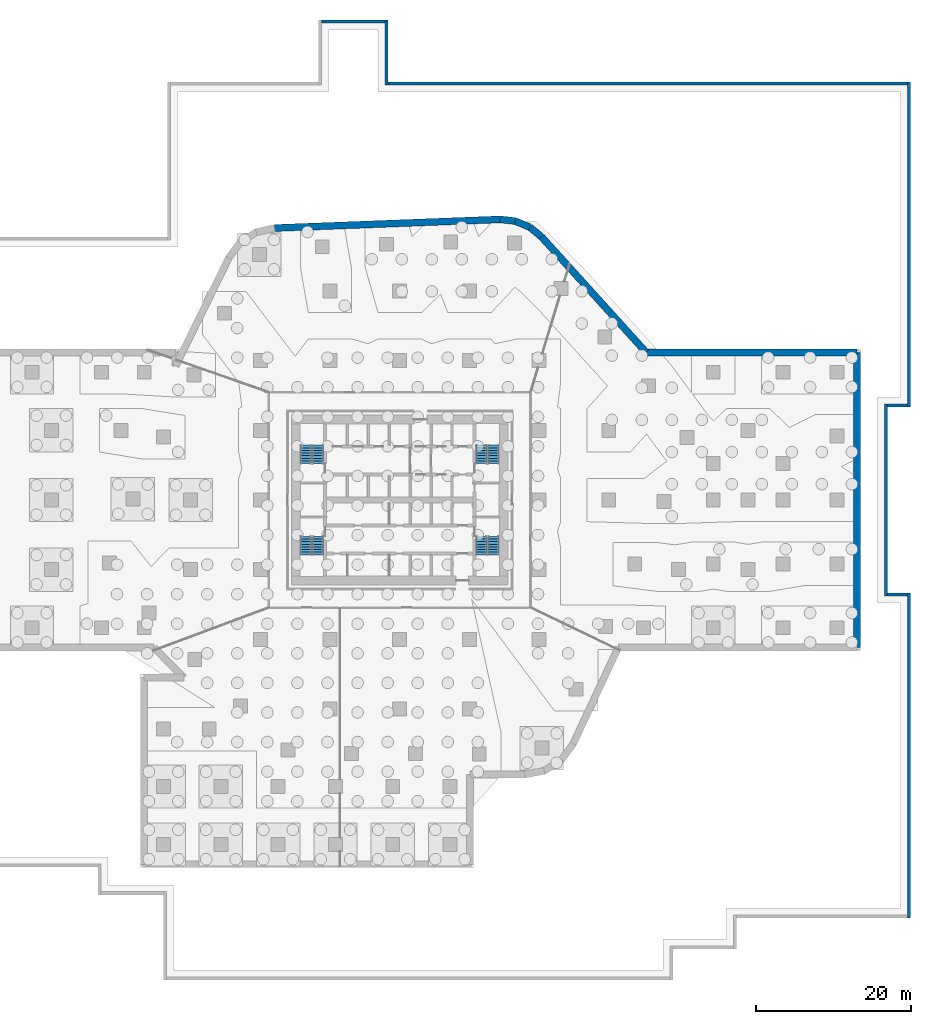
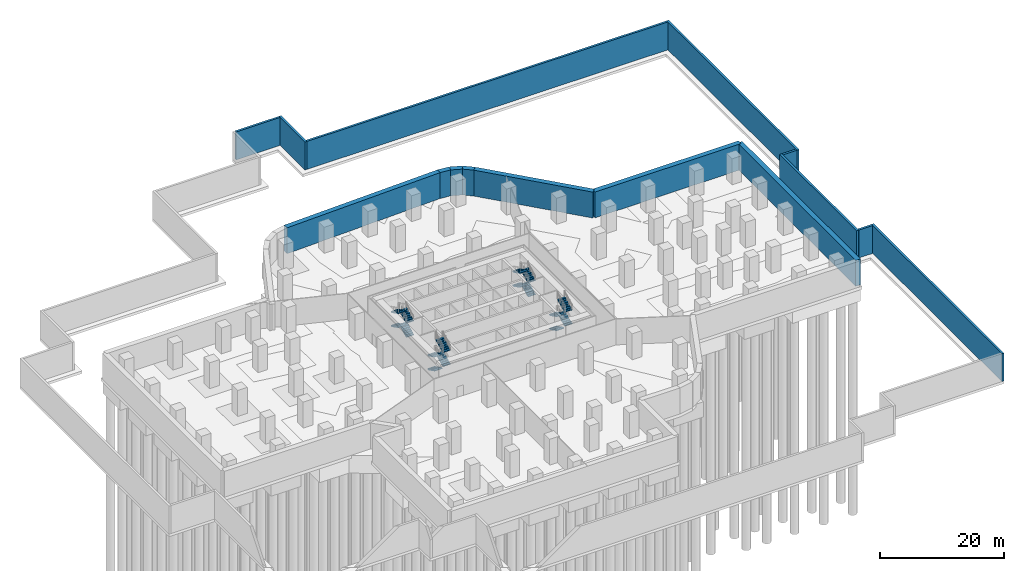
# One storey, part 10 of 12: 16 stair flights, 15 walls, 4 elements without a shape of their own.
"""IFC4 building model written with IfcOpenShell, lengths in metres."""

from ifc_helpers import new_model, si_unit, direction, frame, frame_2d, origin, place, context, subcontext, project, spatial, polyline, rectangle, outline, extrude, material, layer, layer_set, type_object, element, aggregate, save


model = new_model("IFC4")

# Units and contexts
model_context = context("Model", 3, precision=1e-05, world=origin(), true_north=direction((0.0, 1.0)))
body_context = subcontext(model_context, "Body", "Model", "MODEL_VIEW")
ifc_project = project(units=[si_unit("LENGTHUNIT", "METRE"), si_unit("AREAUNIT", "SQUARE_METRE"), si_unit("VOLUMEUNIT", "CUBIC_METRE"), si_unit("PLANEANGLEUNIT", "RADIAN"), si_unit("MASSUNIT", "GRAM", prefix="KILO")], contexts=[model_context])

# Site, building, storey
site_placement = place(None, origin())
site = spatial("IfcSite", under=ifc_project, at=site_placement, CompositionType="ELEMENT")
building_placement = place(site_placement, origin())
building = spatial("IfcBuilding", under=site, at=building_placement, Name="Dongbaek Canopy Tower", CompositionType="ELEMENT")
storey_placement = place(building_placement, frame((0.0, 0.0, -17.0)))
storey = spatial("IfcBuildingStorey", under=building, at=storey_placement, Name="B3", CompositionType="ELEMENT", Elevation=-17.0)

# Walls
ifc_material_1 = material(Name="Concrete C40/50", Category="concrete")
ifc_layer_1 = layer(ifc_material_1, 0.39990234375)
ifc_layer_set_1 = layer_set([ifc_layer_1], Name="Plaza plinth wall 400")
wall_type_1 = type_object("IfcWallType", Name="Plaza plinth wall 400", PredefinedType="SOLIDWALL", material=ifc_layer_set_1)
wall_1_placement = place(storey_placement, frame((65.800048828125, -54.0, 0.0), z_axis=(0.0, 0.0, 1.0), x_axis=(0.0, 1.0, 0.0)))
element("IfcWall", 1, at=wall_1_placement, inside=storey, type_object=wall_type_1, Name="Plaza plinth wall 59", PredefinedType="SOLIDWALL", context=body_context, shape_type="SweptSolid", body=[
    extrude(rectangle(XDim=42.0, YDim=0.39990234375, at=frame_2d((21.0, 0.0))), origin(), (0.0, 0.0, 1.0), 5.5),
])
wall_2_placement = place(storey_placement, frame((63.0, -12.199951171875, 0.0), z_axis=(0.0, 0.0, 1.0), x_axis=(1.0, 0.0, 0.0)))
element("IfcWall", 2, at=wall_2_placement, inside=storey, type_object=wall_type_1, Name="Plaza plinth wall 66", PredefinedType="SOLIDWALL", context=body_context, shape_type="SweptSolid", body=[
    extrude(rectangle(XDim=2.60009765625, YDim=0.39990234375, at=frame_2d((1.300048828125, 0.0))), origin(), (0.0, 0.0, 1.0), 5.5),
])
wall_3_placement = place(storey_placement, frame((62.800048828125, -12.39990234375, 0.0), z_axis=(0.0, 0.0, 1.0), x_axis=(0.0, 1.0, 0.0)))
element("IfcWall", 3, at=wall_3_placement, inside=storey, type_object=wall_type_1, Name="Plaza plinth wall 67", PredefinedType="SOLIDWALL", context=body_context, shape_type="SweptSolid", body=[
    extrude(rectangle(XDim=24.7998046875, YDim=0.39990234375, at=frame_2d((12.39990234375, 0.0))), origin(), (0.0, 0.0, 1.0), 5.5),
])
wall_4_placement = place(storey_placement, frame((63.0, 12.199951171875, 0.0), z_axis=(0.0, 0.0, 1.0), x_axis=(1.0, 0.0, 0.0)))
element("IfcWall", 4, at=wall_4_placement, inside=storey, type_object=wall_type_1, Name="Plaza plinth wall 68", PredefinedType="SOLIDWALL", context=body_context, shape_type="SweptSolid", body=[
    extrude(rectangle(XDim=2.60009765625, YDim=0.39990234375, at=frame_2d((1.300048828125, 0.0))), origin(), (0.0, 0.0, 1.0), 5.5),
])
wall_5_placement = place(storey_placement, frame((65.800048828125, 12.0, 0.0), z_axis=(0.0, 0.0, 1.0), x_axis=(0.0, 1.0, 0.0)))
element("IfcWall", 5, at=wall_5_placement, inside=storey, type_object=wall_type_1, Name="Plaza plinth wall 69", PredefinedType="SOLIDWALL", context=body_context, shape_type="SweptSolid", body=[
    extrude(rectangle(XDim=42.0, YDim=0.39990234375, at=frame_2d((21.0, 0.0))), origin(), (0.0, 0.0, 1.0), 5.5),
])
wall_6_placement = place(storey_placement, frame((-1.5, 53.800048828125, 0.0), z_axis=(0.0, 0.0, 1.0), x_axis=(1.0, 0.0, 0.0)))
element("IfcWall", 6, at=wall_6_placement, inside=storey, type_object=wall_type_1, Name="Plaza plinth wall 75", PredefinedType="SOLIDWALL", context=body_context, shape_type="SweptSolid", body=[
    extrude(rectangle(XDim=67.10009765625, YDim=0.39990234375, at=frame_2d((33.550048828125, 0.0))), origin(), (0.0, 0.0, 1.0), 5.5),
])
wall_7_placement = place(storey_placement, frame((-1.699951171875, 53.60009765625, 0.0), z_axis=(0.0, 0.0, 1.0), x_axis=(0.0, 1.0, 0.0)))
element("IfcWall", 7, at=wall_7_placement, inside=storey, type_object=wall_type_1, Name="Plaza plinth wall 77", PredefinedType="SOLIDWALL", context=body_context, shape_type="SweptSolid", body=[
    extrude(rectangle(XDim=8.39990234375, YDim=0.39990234375, at=frame_2d((4.199951171875, 0.0))), origin(), (0.0, 0.0, 1.0), 5.5),
])
wall_8_placement = place(storey_placement, frame((-10.10009765625, 61.800048828125, 0.0), z_axis=(0.0, 0.0, 1.0), x_axis=(1.0, 0.0, 0.0)))
element("IfcWall", 8, at=wall_8_placement, inside=storey, type_object=wall_type_1, Name="Plaza plinth wall 78", PredefinedType="SOLIDWALL", context=body_context, shape_type="SweptSolid", body=[
    extrude(rectangle(XDim=8.2001953125, YDim=0.39990234375, at=frame_2d((4.10009765625, 0.0))), origin(), (0.0, 0.0, 1.0), 5.5),
])
ifc_material_2 = material(Name="Concrete C40", Category="concrete")
ifc_layer_2 = layer(ifc_material_2, 0.89990234375)
ifc_layer_set_2 = layer_set([ifc_layer_2], Name="RC RETAINING WALL 900 Concrete C40")
wall_type_2 = type_object("IfcWallType", Name="RC RETAINING WALL 900 Concrete C40", PredefinedType="SHEAR", material=ifc_layer_set_2)
wall_9_placement = place(storey_placement, frame((-16.158935546875, 35.130615234375, 0.0), z_axis=(0.0, 0.0, 1.0), x_axis=(0.999269062673, 0.038227482067, 0.0)))
element("IfcWall", 9, at=wall_9_placement, inside=storey, type_object=wall_type_2, Name="RWALL:B3:11", PredefinedType="SHEAR", context=body_context, shape_type="SweptSolid", body=[
    extrude(rectangle(XDim=29.13525390625, YDim=0.89990234375, at=frame_2d((14.567626953125, 0.0))), origin(), (0.0, 0.0, 1.0), 5.10009765625),
])
wall_10_placement = place(storey_placement, origin())
element("IfcWall", 10, at=wall_10_placement, inside=storey, type_object=wall_type_2, Name="RWALL:B3:12", PredefinedType="SHEAR", context=body_context, shape_type="SweptSolid", body=[
    extrude(outline(polyline([(14.96240234375, 36.48095703125), (13.00341796875, 36.69189453125), (12.955078125, 36.244384765625), (12.972412109375, 35.794921875), (12.939697265625, 35.793701171875), (14.8662109375, 35.586181640625), (14.96240234375, 36.48095703125)])), origin(), (0.0, 0.0, 1.0), 5.10009765625),
])
wall_11_placement = place(storey_placement, origin())
element("IfcWall", 11, at=wall_11_placement, inside=storey, type_object=wall_type_2, Name="RWALL:B3:13", PredefinedType="SHEAR", context=body_context, shape_type="SweptSolid", body=[
    extrude(outline(polyline([(16.976318359375, 35.654052734375), (15.0888671875, 36.4482421875), (14.914306640625, 36.033447265625), (14.8662109375, 35.586181640625), (14.800537109375, 35.59326171875), (16.627197265625, 34.824462890625), (16.976318359375, 35.654052734375)])), origin(), (0.0, 0.0, 1.0), 5.10009765625),
])
wall_12_placement = place(storey_placement, origin())
element("IfcWall", 12, at=wall_12_placement, inside=storey, type_object=wall_type_2, Name="RWALL:B3:14", PredefinedType="SHEAR", context=body_context, shape_type="SweptSolid", body=[
    extrude(outline(polyline([(18.608642578125, 34.3330078125), (17.088134765625, 35.58642578125), (16.802001953125, 35.2392578125), (16.627197265625, 34.824462890625), (16.566650390625, 34.85009765625), (18.010986328125, 33.659423828125), (17.989013671875, 33.683837890625), (18.322509765625, 33.98583984375), (18.608642578125, 34.3330078125)])), origin(), (0.0, 0.0, 1.0), 5.10009765625),
])
wall_13_placement = place(storey_placement, frame((18.322509765625, 33.98583984375, 0.0), z_axis=(0.0, 0.0, 1.0), x_axis=(0.671255569768, -0.741225984471, 0.0)))
element("IfcWall", 13, at=wall_13_placement, inside=storey, type_object=wall_type_2, Name="RWALL:B3:15", PredefinedType="SHEAR", context=body_context, shape_type="SweptSolid", body=[
    extrude(rectangle(XDim=20.150146484375, YDim=0.89990234375, at=frame_2d((10.0751953125, 0.0))), origin(), (0.0, 0.0, 1.0), 5.10009765625),
])
wall_14_placement = place(storey_placement, frame((31.848388671875, 19.050048828125, 0.0), z_axis=(0.0, 0.0, 1.0), x_axis=(1.0, 0.0, 0.0)))
element("IfcWall", 14, at=wall_14_placement, inside=storey, type_object=wall_type_2, Name="RWALL:B3:16", PredefinedType="SHEAR", context=body_context, shape_type="SweptSolid", body=[
    extrude(rectangle(XDim=27.20166015625, YDim=0.89990234375, at=frame_2d((13.600830078125, 0.0))), origin(), (0.0, 0.0, 1.0), 5.10009765625),
])
wall_15_placement = place(storey_placement, frame((59.050048828125, 19.050048828125, 0.0), z_axis=(0.0, 0.0, 1.0), x_axis=(0.0, -1.0, 0.0)))
element("IfcWall", 15, at=wall_15_placement, inside=storey, type_object=wall_type_2, Name="RWALL:B3:17", PredefinedType="SHEAR", context=body_context, shape_type="SweptSolid", body=[
    extrude(rectangle(XDim=38.10009765625, YDim=0.89990234375, at=frame_2d((19.050048828125, 0.0))), origin(), (0.0, 0.0, 1.0), 5.10009765625),
])

# Stair, stair flights
ifc_material_3 = material(Name="Concrete C40/50", Category="concrete")
stair_type = type_object("IfcStairType", Name="Core exit stair", PredefinedType="HALF_TURN_STAIR", material=ifc_material_3)
stair_1_placement = place(storey_placement, origin())
stair_1 = element("IfcStair", 16, at=stair_1_placement, inside=storey, type_object=stair_type, Name="B3 exit stair A", PredefinedType="HALF_TURN_STAIR")
ifc_material_4 = material(Name="Concrete C40/50", Category="concrete")
ifc_layer_3 = layer(ifc_material_4, 0.14990234375)
ifc_layer_set_3 = layer_set([ifc_layer_3], Name="Core stair flight 150 waist")
stair_flight_type = type_object("IfcStairFlightType", Name="Core stair flight 150 waist", PredefinedType="STRAIGHT", material=ifc_layer_set_3)
stair_flight_1_placement = place(storey_placement, frame((12.10009765625, 4.699951171875, 0.0), z_axis=(0.0, 0.0, 1.0), x_axis=(0.0, 1.0, 0.0)))
stair_flight_1 = element("IfcStairFlight", 17, at=stair_flight_1_placement, type_object=stair_flight_type, Name="ST-A flight 1", NumberOfRisers=8, NumberOfTreads=7, PredefinedType="STRAIGHT", RiserHeight=0.171875, TreadLength=0.34, context=body_context, shape_type="SweptSolid", body=[
    extrude(outline(polyline([(0.0, 0.0), (0.0, 0.171875), (0.340087890625, 0.171875), (0.340087890625, 0.34375), (0.679931640625, 0.34375), (0.679931640625, 0.515625), (1.02001953125, 0.515625), (1.02001953125, 0.6875), (1.360107421875, 0.6875), (1.360107421875, 0.859375), (1.699951171875, 0.859375), (1.699951171875, 1.03125), (2.0400390625, 1.03125), (2.0400390625, 1.203125), (2.3798828125, 1.203125), (2.3798828125, 1.375), (2.3798828125, 1.03515625), (0.332275390625, 0.0), (0.0, 0.0)])), frame((0.0, 0.699951171875, 0.0), z_axis=(0.0, -1.0, 0.0), x_axis=(1.0, 0.0, 0.0)), (0.0, 0.0, 1.0), 1.39990234375),
])
stair_flight_2_placement = place(storey_placement, frame((10.550048828125, 7.080078125, 1.375), z_axis=(0.0, 0.0, 1.0), x_axis=(0.0, -1.0, 0.0)))
stair_flight_2 = element("IfcStairFlight", 18, at=stair_flight_2_placement, type_object=stair_flight_type, Name="ST-A flight 2", NumberOfRisers=8, NumberOfTreads=7, PredefinedType="STRAIGHT", RiserHeight=0.171875, TreadLength=0.34, context=body_context, shape_type="SweptSolid", body=[
    extrude(outline(polyline([(0.0, 0.0), (0.0, 0.171875), (0.340087890625, 0.171875), (0.340087890625, 0.34375), (0.679931640625, 0.34375), (0.679931640625, 0.515625), (1.02001953125, 0.515625), (1.02001953125, 0.6875), (1.360107421875, 0.6875), (1.360107421875, 0.859375), (1.699951171875, 0.859375), (1.699951171875, 1.03125), (2.0400390625, 1.03125), (2.0400390625, 1.203125), (2.3798828125, 1.203125), (2.3798828125, 1.375), (2.3798828125, 1.03515625), (0.332275390625, 0.0), (0.0, 0.0)])), frame((0.0, 0.699951171875, 0.0), z_axis=(0.0, -1.0, 0.0), x_axis=(1.0, 0.0, 0.0)), (0.0, 0.0, 1.0), 1.39990234375),
])
stair_flight_3_placement = place(storey_placement, frame((12.10009765625, 4.699951171875, 2.75), z_axis=(0.0, 0.0, 1.0), x_axis=(0.0, 1.0, 0.0)))
stair_flight_3 = element("IfcStairFlight", 19, at=stair_flight_3_placement, type_object=stair_flight_type, Name="ST-A flight 3", NumberOfRisers=8, NumberOfTreads=7, PredefinedType="STRAIGHT", RiserHeight=0.171875, TreadLength=0.34, context=body_context, shape_type="SweptSolid", body=[
    extrude(outline(polyline([(0.0, 0.0), (0.0, 0.171875), (0.340087890625, 0.171875), (0.340087890625, 0.34375), (0.679931640625, 0.34375), (0.679931640625, 0.515625), (1.02001953125, 0.515625), (1.02001953125, 0.6875), (1.360107421875, 0.6875), (1.360107421875, 0.859375), (1.699951171875, 0.859375), (1.699951171875, 1.03125), (2.0400390625, 1.03125), (2.0400390625, 1.203125), (2.3798828125, 1.203125), (2.3798828125, 1.375), (2.3798828125, 1.03515625), (0.332275390625, 0.0), (0.0, 0.0)])), frame((0.0, 0.699951171875, 0.0), z_axis=(0.0, -1.0, 0.0), x_axis=(1.0, 0.0, 0.0)), (0.0, 0.0, 1.0), 1.39990234375),
])
stair_flight_4_placement = place(storey_placement, frame((10.550048828125, 7.080078125, 4.125), z_axis=(0.0, 0.0, 1.0), x_axis=(0.0, -1.0, 0.0)))
stair_flight_4 = element("IfcStairFlight", 20, at=stair_flight_4_placement, type_object=stair_flight_type, Name="ST-A flight 4", NumberOfRisers=8, NumberOfTreads=7, PredefinedType="STRAIGHT", RiserHeight=0.171875, TreadLength=0.34, context=body_context, shape_type="SweptSolid", body=[
    extrude(outline(polyline([(0.0, 0.0), (0.0, 0.171875), (0.340087890625, 0.171875), (0.340087890625, 0.34375), (0.679931640625, 0.34375), (0.679931640625, 0.515625), (1.02001953125, 0.515625), (1.02001953125, 0.6875), (1.360107421875, 0.6875), (1.360107421875, 0.859375), (1.699951171875, 0.859375), (1.699951171875, 1.03125), (2.0400390625, 1.03125), (2.0400390625, 1.203125), (2.3798828125, 1.203125), (2.3798828125, 1.375), (2.3798828125, 1.03515625), (0.332275390625, 0.0), (0.0, 0.0)])), frame((0.0, 0.699951171875, 0.0), z_axis=(0.0, -1.0, 0.0), x_axis=(1.0, 0.0, 0.0)), (0.0, 0.0, 1.0), 1.39990234375),
])
aggregate(stair_1, [stair_flight_1, stair_flight_2, stair_flight_3, stair_flight_4])

stair_2_placement = place(storey_placement, origin())
stair_2 = element("IfcStair", 21, at=stair_2_placement, inside=storey, type_object=stair_type, Name="B3 exit stair C", PredefinedType="HALF_TURN_STAIR")
stair_flight_5_placement = place(storey_placement, frame((-10.550048828125, 4.699951171875, 0.0), z_axis=(0.0, 0.0, 1.0), x_axis=(0.0, 1.0, 0.0)))
stair_flight_5 = element("IfcStairFlight", 22, at=stair_flight_5_placement, type_object=stair_flight_type, Name="ST-C flight 1", NumberOfRisers=8, NumberOfTreads=7, PredefinedType="STRAIGHT", RiserHeight=0.171875, TreadLength=0.34, context=body_context, shape_type="SweptSolid", body=[
    extrude(outline(polyline([(0.0, 0.0), (0.0, 0.171875), (0.340087890625, 0.171875), (0.340087890625, 0.34375), (0.679931640625, 0.34375), (0.679931640625, 0.515625), (1.02001953125, 0.515625), (1.02001953125, 0.6875), (1.360107421875, 0.6875), (1.360107421875, 0.859375), (1.699951171875, 0.859375), (1.699951171875, 1.03125), (2.0400390625, 1.03125), (2.0400390625, 1.203125), (2.3798828125, 1.203125), (2.3798828125, 1.375), (2.3798828125, 1.03515625), (0.332275390625, 0.0), (0.0, 0.0)])), frame((0.0, 0.699951171875, 0.0), z_axis=(0.0, -1.0, 0.0), x_axis=(1.0, 0.0, 0.0)), (0.0, 0.0, 1.0), 1.39990234375),
])
stair_flight_6_placement = place(storey_placement, frame((-12.10009765625, 7.080078125, 1.375), z_axis=(0.0, 0.0, 1.0), x_axis=(0.0, -1.0, 0.0)))
stair_flight_6 = element("IfcStairFlight", 23, at=stair_flight_6_placement, type_object=stair_flight_type, Name="ST-C flight 2", NumberOfRisers=8, NumberOfTreads=7, PredefinedType="STRAIGHT", RiserHeight=0.171875, TreadLength=0.34, context=body_context, shape_type="SweptSolid", body=[
    extrude(outline(polyline([(0.0, 0.0), (0.0, 0.171875), (0.340087890625, 0.171875), (0.340087890625, 0.34375), (0.679931640625, 0.34375), (0.679931640625, 0.515625), (1.02001953125, 0.515625), (1.02001953125, 0.6875), (1.360107421875, 0.6875), (1.360107421875, 0.859375), (1.699951171875, 0.859375), (1.699951171875, 1.03125), (2.0400390625, 1.03125), (2.0400390625, 1.203125), (2.3798828125, 1.203125), (2.3798828125, 1.375), (2.3798828125, 1.03515625), (0.332275390625, 0.0), (0.0, 0.0)])), frame((0.0, 0.699951171875, 0.0), z_axis=(0.0, -1.0, 0.0), x_axis=(1.0, 0.0, 0.0)), (0.0, 0.0, 1.0), 1.39990234375),
])
stair_flight_7_placement = place(storey_placement, frame((-10.550048828125, 4.699951171875, 2.75), z_axis=(0.0, 0.0, 1.0), x_axis=(0.0, 1.0, 0.0)))
stair_flight_7 = element("IfcStairFlight", 24, at=stair_flight_7_placement, type_object=stair_flight_type, Name="ST-C flight 3", NumberOfRisers=8, NumberOfTreads=7, PredefinedType="STRAIGHT", RiserHeight=0.171875, TreadLength=0.34, context=body_context, shape_type="SweptSolid", body=[
    extrude(outline(polyline([(0.0, 0.0), (0.0, 0.171875), (0.340087890625, 0.171875), (0.340087890625, 0.34375), (0.679931640625, 0.34375), (0.679931640625, 0.515625), (1.02001953125, 0.515625), (1.02001953125, 0.6875), (1.360107421875, 0.6875), (1.360107421875, 0.859375), (1.699951171875, 0.859375), (1.699951171875, 1.03125), (2.0400390625, 1.03125), (2.0400390625, 1.203125), (2.3798828125, 1.203125), (2.3798828125, 1.375), (2.3798828125, 1.03515625), (0.332275390625, 0.0), (0.0, 0.0)])), frame((0.0, 0.699951171875, 0.0), z_axis=(0.0, -1.0, 0.0), x_axis=(1.0, 0.0, 0.0)), (0.0, 0.0, 1.0), 1.39990234375),
])
stair_flight_8_placement = place(storey_placement, frame((-12.10009765625, 7.080078125, 4.125), z_axis=(0.0, 0.0, 1.0), x_axis=(0.0, -1.0, 0.0)))
stair_flight_8 = element("IfcStairFlight", 25, at=stair_flight_8_placement, type_object=stair_flight_type, Name="ST-C flight 4", NumberOfRisers=8, NumberOfTreads=7, PredefinedType="STRAIGHT", RiserHeight=0.171875, TreadLength=0.34, context=body_context, shape_type="SweptSolid", body=[
    extrude(outline(polyline([(0.0, 0.0), (0.0, 0.171875), (0.340087890625, 0.171875), (0.340087890625, 0.34375), (0.679931640625, 0.34375), (0.679931640625, 0.515625), (1.02001953125, 0.515625), (1.02001953125, 0.6875), (1.360107421875, 0.6875), (1.360107421875, 0.859375), (1.699951171875, 0.859375), (1.699951171875, 1.03125), (2.0400390625, 1.03125), (2.0400390625, 1.203125), (2.3798828125, 1.203125), (2.3798828125, 1.375), (2.3798828125, 1.03515625), (0.332275390625, 0.0), (0.0, 0.0)])), frame((0.0, 0.699951171875, 0.0), z_axis=(0.0, -1.0, 0.0), x_axis=(1.0, 0.0, 0.0)), (0.0, 0.0, 1.0), 1.39990234375),
])
aggregate(stair_2, [stair_flight_5, stair_flight_6, stair_flight_7, stair_flight_8])

stair_3_placement = place(storey_placement, origin())
stair_3 = element("IfcStair", 26, at=stair_3_placement, inside=storey, type_object=stair_type, Name="B3 exit stair B", PredefinedType="HALF_TURN_STAIR")
stair_flight_9_placement = place(storey_placement, frame((10.550048828125, -4.699951171875, 0.0), z_axis=(0.0, 0.0, 1.0), x_axis=(0.0, -1.0, 0.0)))
stair_flight_9 = element("IfcStairFlight", 27, at=stair_flight_9_placement, type_object=stair_flight_type, Name="ST-B flight 1", NumberOfRisers=8, NumberOfTreads=7, PredefinedType="STRAIGHT", RiserHeight=0.171875, TreadLength=0.34, context=body_context, shape_type="SweptSolid", body=[
    extrude(outline(polyline([(0.0, 0.0), (0.0, 0.171875), (0.340087890625, 0.171875), (0.340087890625, 0.34375), (0.679931640625, 0.34375), (0.679931640625, 0.515625), (1.02001953125, 0.515625), (1.02001953125, 0.6875), (1.360107421875, 0.6875), (1.360107421875, 0.859375), (1.699951171875, 0.859375), (1.699951171875, 1.03125), (2.0400390625, 1.03125), (2.0400390625, 1.203125), (2.3798828125, 1.203125), (2.3798828125, 1.375), (2.3798828125, 1.03515625), (0.332275390625, 0.0), (0.0, 0.0)])), frame((0.0, 0.699951171875, 0.0), z_axis=(0.0, -1.0, 0.0), x_axis=(1.0, 0.0, 0.0)), (0.0, 0.0, 1.0), 1.39990234375),
])
stair_flight_10_placement = place(storey_placement, frame((12.10009765625, -7.080078125, 1.375), z_axis=(0.0, 0.0, 1.0), x_axis=(0.0, 1.0, 0.0)))
stair_flight_10 = element("IfcStairFlight", 28, at=stair_flight_10_placement, type_object=stair_flight_type, Name="ST-B flight 2", NumberOfRisers=8, NumberOfTreads=7, PredefinedType="STRAIGHT", RiserHeight=0.171875, TreadLength=0.34, context=body_context, shape_type="SweptSolid", body=[
    extrude(outline(polyline([(0.0, 0.0), (0.0, 0.171875), (0.340087890625, 0.171875), (0.340087890625, 0.34375), (0.679931640625, 0.34375), (0.679931640625, 0.515625), (1.02001953125, 0.515625), (1.02001953125, 0.6875), (1.360107421875, 0.6875), (1.360107421875, 0.859375), (1.699951171875, 0.859375), (1.699951171875, 1.03125), (2.0400390625, 1.03125), (2.0400390625, 1.203125), (2.3798828125, 1.203125), (2.3798828125, 1.375), (2.3798828125, 1.03515625), (0.332275390625, 0.0), (0.0, 0.0)])), frame((0.0, 0.699951171875, 0.0), z_axis=(0.0, -1.0, 0.0), x_axis=(1.0, 0.0, 0.0)), (0.0, 0.0, 1.0), 1.39990234375),
])
stair_flight_11_placement = place(storey_placement, frame((10.550048828125, -4.699951171875, 2.75), z_axis=(0.0, 0.0, 1.0), x_axis=(0.0, -1.0, 0.0)))
stair_flight_11 = element("IfcStairFlight", 29, at=stair_flight_11_placement, type_object=stair_flight_type, Name="ST-B flight 3", NumberOfRisers=8, NumberOfTreads=7, PredefinedType="STRAIGHT", RiserHeight=0.171875, TreadLength=0.34, context=body_context, shape_type="SweptSolid", body=[
    extrude(outline(polyline([(0.0, 0.0), (0.0, 0.171875), (0.340087890625, 0.171875), (0.340087890625, 0.34375), (0.679931640625, 0.34375), (0.679931640625, 0.515625), (1.02001953125, 0.515625), (1.02001953125, 0.6875), (1.360107421875, 0.6875), (1.360107421875, 0.859375), (1.699951171875, 0.859375), (1.699951171875, 1.03125), (2.0400390625, 1.03125), (2.0400390625, 1.203125), (2.3798828125, 1.203125), (2.3798828125, 1.375), (2.3798828125, 1.03515625), (0.332275390625, 0.0), (0.0, 0.0)])), frame((0.0, 0.699951171875, 0.0), z_axis=(0.0, -1.0, 0.0), x_axis=(1.0, 0.0, 0.0)), (0.0, 0.0, 1.0), 1.39990234375),
])
stair_flight_12_placement = place(storey_placement, frame((12.10009765625, -7.080078125, 4.125), z_axis=(0.0, 0.0, 1.0), x_axis=(0.0, 1.0, 0.0)))
stair_flight_12 = element("IfcStairFlight", 30, at=stair_flight_12_placement, type_object=stair_flight_type, Name="ST-B flight 4", NumberOfRisers=8, NumberOfTreads=7, PredefinedType="STRAIGHT", RiserHeight=0.171875, TreadLength=0.34, context=body_context, shape_type="SweptSolid", body=[
    extrude(outline(polyline([(0.0, 0.0), (0.0, 0.171875), (0.340087890625, 0.171875), (0.340087890625, 0.34375), (0.679931640625, 0.34375), (0.679931640625, 0.515625), (1.02001953125, 0.515625), (1.02001953125, 0.6875), (1.360107421875, 0.6875), (1.360107421875, 0.859375), (1.699951171875, 0.859375), (1.699951171875, 1.03125), (2.0400390625, 1.03125), (2.0400390625, 1.203125), (2.3798828125, 1.203125), (2.3798828125, 1.375), (2.3798828125, 1.03515625), (0.332275390625, 0.0), (0.0, 0.0)])), frame((0.0, 0.699951171875, 0.0), z_axis=(0.0, -1.0, 0.0), x_axis=(1.0, 0.0, 0.0)), (0.0, 0.0, 1.0), 1.39990234375),
])
aggregate(stair_3, [stair_flight_9, stair_flight_10, stair_flight_11, stair_flight_12])

stair_4_placement = place(storey_placement, origin())
stair_4 = element("IfcStair", 31, at=stair_4_placement, inside=storey, type_object=stair_type, Name="B3 exit stair D", PredefinedType="HALF_TURN_STAIR")
stair_flight_13_placement = place(storey_placement, frame((-12.10009765625, -4.699951171875, 0.0), z_axis=(0.0, 0.0, 1.0), x_axis=(0.0, -1.0, 0.0)))
stair_flight_13 = element("IfcStairFlight", 32, at=stair_flight_13_placement, type_object=stair_flight_type, Name="ST-D flight 1", NumberOfRisers=8, NumberOfTreads=7, PredefinedType="STRAIGHT", RiserHeight=0.171875, TreadLength=0.34, context=body_context, shape_type="SweptSolid", body=[
    extrude(outline(polyline([(0.0, 0.0), (0.0, 0.171875), (0.340087890625, 0.171875), (0.340087890625, 0.34375), (0.679931640625, 0.34375), (0.679931640625, 0.515625), (1.02001953125, 0.515625), (1.02001953125, 0.6875), (1.360107421875, 0.6875), (1.360107421875, 0.859375), (1.699951171875, 0.859375), (1.699951171875, 1.03125), (2.0400390625, 1.03125), (2.0400390625, 1.203125), (2.3798828125, 1.203125), (2.3798828125, 1.375), (2.3798828125, 1.03515625), (0.332275390625, 0.0), (0.0, 0.0)])), frame((0.0, 0.699951171875, 0.0), z_axis=(0.0, -1.0, 0.0), x_axis=(1.0, 0.0, 0.0)), (0.0, 0.0, 1.0), 1.39990234375),
])
stair_flight_14_placement = place(storey_placement, frame((-10.550048828125, -7.080078125, 1.375), z_axis=(0.0, 0.0, 1.0), x_axis=(0.0, 1.0, 0.0)))
stair_flight_14 = element("IfcStairFlight", 33, at=stair_flight_14_placement, type_object=stair_flight_type, Name="ST-D flight 2", NumberOfRisers=8, NumberOfTreads=7, PredefinedType="STRAIGHT", RiserHeight=0.171875, TreadLength=0.34, context=body_context, shape_type="SweptSolid", body=[
    extrude(outline(polyline([(0.0, 0.0), (0.0, 0.171875), (0.340087890625, 0.171875), (0.340087890625, 0.34375), (0.679931640625, 0.34375), (0.679931640625, 0.515625), (1.02001953125, 0.515625), (1.02001953125, 0.6875), (1.360107421875, 0.6875), (1.360107421875, 0.859375), (1.699951171875, 0.859375), (1.699951171875, 1.03125), (2.0400390625, 1.03125), (2.0400390625, 1.203125), (2.3798828125, 1.203125), (2.3798828125, 1.375), (2.3798828125, 1.03515625), (0.332275390625, 0.0), (0.0, 0.0)])), frame((0.0, 0.699951171875, 0.0), z_axis=(0.0, -1.0, 0.0), x_axis=(1.0, 0.0, 0.0)), (0.0, 0.0, 1.0), 1.39990234375),
])
stair_flight_15_placement = place(storey_placement, frame((-12.10009765625, -4.699951171875, 2.75), z_axis=(0.0, 0.0, 1.0), x_axis=(0.0, -1.0, 0.0)))
stair_flight_15 = element("IfcStairFlight", 34, at=stair_flight_15_placement, type_object=stair_flight_type, Name="ST-D flight 3", NumberOfRisers=8, NumberOfTreads=7, PredefinedType="STRAIGHT", RiserHeight=0.171875, TreadLength=0.34, context=body_context, shape_type="SweptSolid", body=[
    extrude(outline(polyline([(0.0, 0.0), (0.0, 0.171875), (0.340087890625, 0.171875), (0.340087890625, 0.34375), (0.679931640625, 0.34375), (0.679931640625, 0.515625), (1.02001953125, 0.515625), (1.02001953125, 0.6875), (1.360107421875, 0.6875), (1.360107421875, 0.859375), (1.699951171875, 0.859375), (1.699951171875, 1.03125), (2.0400390625, 1.03125), (2.0400390625, 1.203125), (2.3798828125, 1.203125), (2.3798828125, 1.375), (2.3798828125, 1.03515625), (0.332275390625, 0.0), (0.0, 0.0)])), frame((0.0, 0.699951171875, 0.0), z_axis=(0.0, -1.0, 0.0), x_axis=(1.0, 0.0, 0.0)), (0.0, 0.0, 1.0), 1.39990234375),
])
stair_flight_16_placement = place(storey_placement, frame((-10.550048828125, -7.080078125, 4.125), z_axis=(0.0, 0.0, 1.0), x_axis=(0.0, 1.0, 0.0)))
stair_flight_16 = element("IfcStairFlight", 35, at=stair_flight_16_placement, type_object=stair_flight_type, Name="ST-D flight 4", NumberOfRisers=8, NumberOfTreads=7, PredefinedType="STRAIGHT", RiserHeight=0.171875, TreadLength=0.34, context=body_context, shape_type="SweptSolid", body=[
    extrude(outline(polyline([(0.0, 0.0), (0.0, 0.171875), (0.340087890625, 0.171875), (0.340087890625, 0.34375), (0.679931640625, 0.34375), (0.679931640625, 0.515625), (1.02001953125, 0.515625), (1.02001953125, 0.6875), (1.360107421875, 0.6875), (1.360107421875, 0.859375), (1.699951171875, 0.859375), (1.699951171875, 1.03125), (2.0400390625, 1.03125), (2.0400390625, 1.203125), (2.3798828125, 1.203125), (2.3798828125, 1.375), (2.3798828125, 1.03515625), (0.332275390625, 0.0), (0.0, 0.0)])), frame((0.0, 0.699951171875, 0.0), z_axis=(0.0, -1.0, 0.0), x_axis=(1.0, 0.0, 0.0)), (0.0, 0.0, 1.0), 1.39990234375),
])
aggregate(stair_4, [stair_flight_13, stair_flight_14, stair_flight_15, stair_flight_16])

save(model, "model.ifc")
